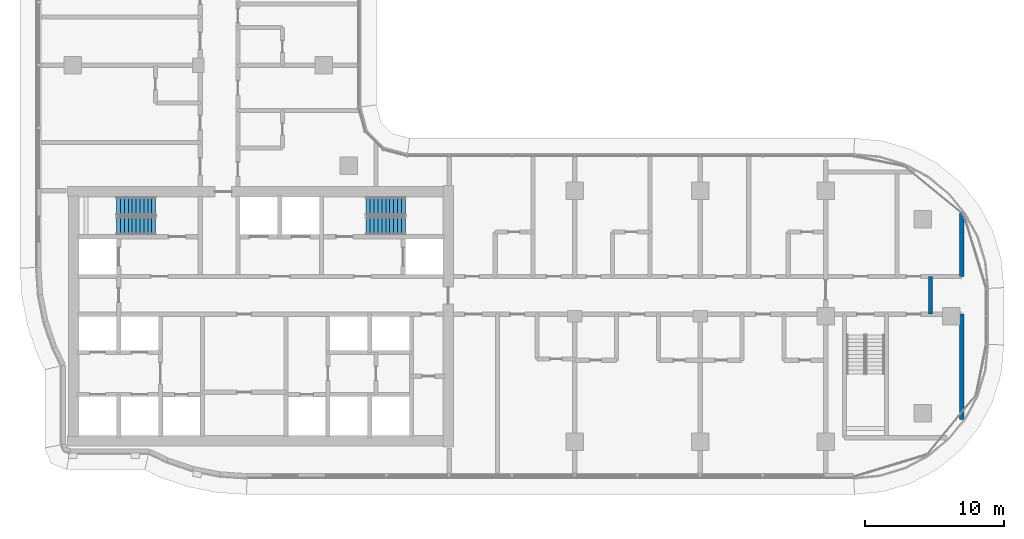
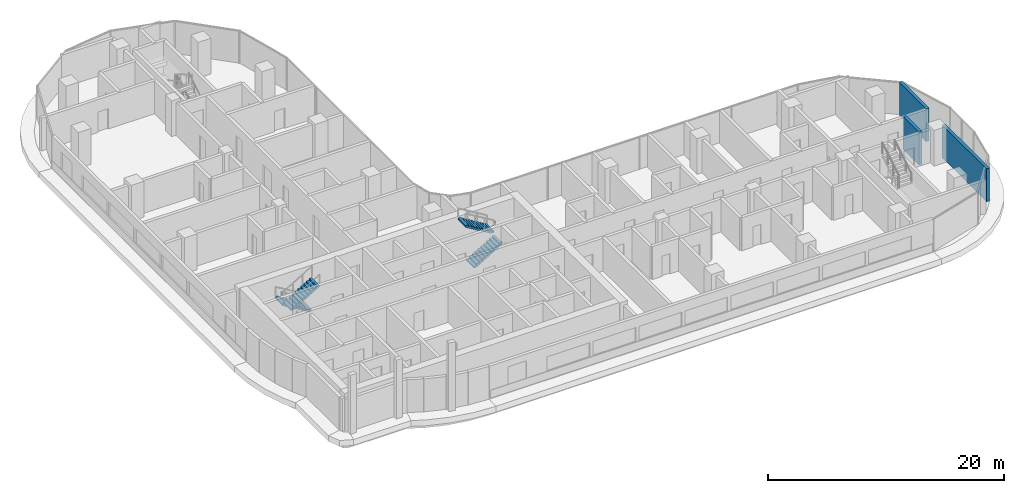
# One storey, part 16 of 25: 4 stair flights, 3 walls, 2 elements without a shape of their own.
"""IFC4 building model written with IfcOpenShell, lengths in metres."""

from ifc_helpers import new_model, si_unit, direction, frame, frame_2d, origin, place, context, subcontext, project, spatial, rectangle, extrude, triangles, source, transform, mapped, material, layer, layer_set, type_object, element, aggregate, save


model = new_model("IFC4")

# Units and contexts
model_context = context("Model", 3, precision=1e-05, world=origin(), true_north=direction((0.0, 1.0)))
body_context = subcontext(model_context, "Body", "Model", "MODEL_VIEW")
ifc_project = project(units=[si_unit("LENGTHUNIT", "METRE"), si_unit("AREAUNIT", "SQUARE_METRE"), si_unit("VOLUMEUNIT", "CUBIC_METRE"), si_unit("PLANEANGLEUNIT", "RADIAN"), si_unit("MASSUNIT", "GRAM", prefix="KILO")], contexts=[model_context])

# Site, building, storey
site_placement = place(None, origin())
site = spatial("IfcSite", under=ifc_project, at=site_placement, CompositionType="ELEMENT")
building_placement = place(site_placement, origin())
building = spatial("IfcBuilding", under=site, at=building_placement, Name="Ogive Portal Towers", CompositionType="ELEMENT")
storey_placement = place(building_placement, frame((0.0, 0.0, 116.699951171875)))
storey = spatial("IfcBuildingStorey", under=building, at=storey_placement, Name="L28", CompositionType="ELEMENT", Elevation=116.699951171875)

# Walls
ifc_material_1 = material(Name="Gypsum board partition on steel studs", Category="steel")
ifc_layer_1 = layer(ifc_material_1, 0.300048828125)
ifc_layer_set_1 = layer_set([ifc_layer_1], Name="WT-PART-300-EI 120")
wall_type_1 = type_object("IfcWallType", Name="WT-PART-300-EI 120", PredefinedType="PARTITIONING", material=ifc_layer_set_1)
wall_1_placement = place(storey_placement, frame((93.0, 30.64990234375, 0.0), z_axis=(0.0, 0.0, 1.0), x_axis=(0.0, 1.0, 0.0)))
element("IfcWall", 1, at=wall_1_placement, inside=storey, type_object=wall_type_1, Name="Wall L28:w067", PredefinedType="PARTITIONING", context=body_context, shape_type="SweptSolid", body=[
    extrude(rectangle(XDim=2.7001953125, YDim=0.300048828125, at=frame_2d((1.35009765625, 0.0))), origin(), (0.0, 0.0, 1.0), 3.400146484375),
])
ifc_layer_2 = layer(ifc_material_1, 0.300048828125)
ifc_layer_set_2 = layer_set([ifc_layer_2], Name="WT-PART-300-EI 60")
wall_type_2 = type_object("IfcWallType", Name="WT-PART-300-EI 60", PredefinedType="PARTITIONING", material=ifc_layer_set_2)
wall_2_placement = place(storey_placement, frame((95.25, 23.091064453125, 0.0), z_axis=(0.0, 0.0, 1.0), x_axis=(0.0, 1.0, 0.0)))
element("IfcWall", 2, at=wall_2_placement, inside=storey, type_object=wall_type_2, Name="Wall L28:w068", PredefinedType="PARTITIONING", context=body_context, shape_type="SweptSolid", body=[
    extrude(rectangle(XDim=7.558837890625, YDim=0.300048828125, at=frame_2d((3.779296875, 0.0))), origin(), (0.0, 0.0, 1.0), 3.400146484375),
])
wall_3_placement = place(storey_placement, frame((95.25, 33.35009765625, 0.0), z_axis=(0.0, 0.0, 1.0), x_axis=(0.0, 1.0, 0.0)))
element("IfcWall", 3, at=wall_3_placement, inside=storey, type_object=wall_type_2, Name="Wall L28:w069", PredefinedType="PARTITIONING", context=body_context, shape_type="SweptSolid", body=[
    extrude(rectangle(XDim=4.558837890625, YDim=0.300048828125, at=frame_2d((2.279296875, 0.0))), origin(), (0.0, 0.0, 1.0), 3.400146484375),
])

# Stair, stair flights
ifc_material_2 = material(Name="Concrete C40/50", Category="concrete")
stair_type = type_object("IfcStairType", Name="INT-STAIR", PredefinedType="HALF_TURN_STAIR", material=ifc_material_2)
stair_1_placement = place(storey_placement, origin())
stair_1 = element("IfcStair", 4, at=stair_1_placement, inside=storey, type_object=stair_type, Name="L28 Exit Stair ST-A1", PredefinedType="HALF_TURN_STAIR")
stair_flight_type = type_object("IfcStairFlightType", Name="INT-FLIGHT", PredefinedType="STRAIGHT", material=ifc_material_2)
shared_shape = source(origin(), body_context, "Body", "Tessellation", [
    triangles([(0.0, -0.650146484375, 0.0), (0.0, -0.376220703125, 0.0), (0.0, -0.192626953125, 0.0), (0.0, -0.081298828125, 0.0), (0.0, -0.024169921875, 0.0), (0.0, -0.003173828125, 0.0), (0.0, 0.0, 0.0), (0.0, 0.0029296875, 0.0), (0.0, 0.02392578125, 0.0), (0.0, 0.0810546875, 0.0), (0.0, 0.1923828125, 0.0), (0.0, 0.3759765625, 0.0), (0.0, 0.64990234375, 0.0), (0.0, -0.650146484375, 0.168212890625), (0.0, -0.376220703125, 0.168212890625), (0.0, -0.192626953125, 0.168212890625), (0.0, -0.081298828125, 0.168212890625), (0.0, -0.024169921875, 0.168212890625), (0.0, -0.003173828125, 0.168212890625), (0.0, 0.0, 0.168212890625), (0.0, 0.0029296875, 0.168212890625), (0.0, 0.02392578125, 0.168212890625), (0.0, 0.0810546875, 0.168212890625), (0.0, 0.1923828125, 0.168212890625), (0.0, 0.3759765625, 0.168212890625), (0.0, 0.64990234375, 0.168212890625), (0.280029296875, -0.650146484375, 0.168212890625), (0.280029296875, -0.376220703125, 0.168212890625), (0.280029296875, -0.192626953125, 0.168212890625), (0.280029296875, -0.081298828125, 0.168212890625), (0.280029296875, -0.024169921875, 0.168212890625), (0.280029296875, -0.003173828125, 0.168212890625), (0.280029296875, 0.0, 0.168212890625), (0.280029296875, 0.0029296875, 0.168212890625), (0.280029296875, 0.02392578125, 0.168212890625), (0.280029296875, 0.0810546875, 0.168212890625), (0.280029296875, 0.1923828125, 0.168212890625), (0.280029296875, 0.3759765625, 0.168212890625), (0.280029296875, 0.64990234375, 0.168212890625), (0.280029296875, -0.650146484375, 0.33642578125), (0.280029296875, -0.376220703125, 0.33642578125), (0.280029296875, -0.192626953125, 0.33642578125), (0.280029296875, -0.081298828125, 0.33642578125), (0.280029296875, -0.024169921875, 0.33642578125), (0.280029296875, -0.003173828125, 0.33642578125), (0.280029296875, 0.0, 0.33642578125), (0.280029296875, 0.0029296875, 0.33642578125), (0.280029296875, 0.02392578125, 0.33642578125), (0.280029296875, 0.0810546875, 0.33642578125), (0.280029296875, 0.1923828125, 0.33642578125), (0.280029296875, 0.3759765625, 0.33642578125), (0.280029296875, 0.64990234375, 0.33642578125), (0.56005859375, -0.650146484375, 0.33642578125), (0.56005859375, -0.376220703125, 0.33642578125), (0.56005859375, -0.192626953125, 0.33642578125), (0.56005859375, -0.081298828125, 0.33642578125), (0.56005859375, -0.024169921875, 0.33642578125), (0.56005859375, -0.003173828125, 0.33642578125), (0.56005859375, 0.0, 0.33642578125), (0.56005859375, 0.0029296875, 0.33642578125), (0.56005859375, 0.02392578125, 0.33642578125), (0.56005859375, 0.0810546875, 0.33642578125), (0.56005859375, 0.1923828125, 0.33642578125), (0.56005859375, 0.3759765625, 0.33642578125), (0.56005859375, 0.64990234375, 0.33642578125), (0.56005859375, -0.650146484375, 0.504638671875), (0.56005859375, -0.376220703125, 0.504638671875), (0.56005859375, -0.192626953125, 0.504638671875), (0.56005859375, -0.081298828125, 0.504638671875), (0.56005859375, -0.024169921875, 0.504638671875), (0.56005859375, -0.003173828125, 0.504638671875), (0.56005859375, 0.0, 0.504638671875), (0.56005859375, 0.0029296875, 0.504638671875), (0.56005859375, 0.02392578125, 0.504638671875), (0.56005859375, 0.0810546875, 0.504638671875), (0.56005859375, 0.1923828125, 0.504638671875), (0.56005859375, 0.3759765625, 0.504638671875), (0.56005859375, 0.64990234375, 0.504638671875), (0.840087890625, -0.650146484375, 0.504638671875), (0.840087890625, -0.376220703125, 0.504638671875), (0.840087890625, -0.192626953125, 0.504638671875), (0.840087890625, -0.081298828125, 0.504638671875), (0.840087890625, -0.024169921875, 0.504638671875), (0.840087890625, -0.003173828125, 0.504638671875), (0.840087890625, 0.0, 0.504638671875), (0.840087890625, 0.0029296875, 0.504638671875), (0.840087890625, 0.02392578125, 0.504638671875), (0.840087890625, 0.0810546875, 0.504638671875), (0.840087890625, 0.1923828125, 0.504638671875), (0.840087890625, 0.3759765625, 0.504638671875), (0.840087890625, 0.64990234375, 0.504638671875), (0.840087890625, -0.650146484375, 0.672607421875), (0.840087890625, -0.376220703125, 0.672607421875), (0.840087890625, -0.192626953125, 0.672607421875), (0.840087890625, -0.081298828125, 0.672607421875), (0.840087890625, -0.024169921875, 0.672607421875), (0.840087890625, -0.003173828125, 0.672607421875), (0.840087890625, 0.0, 0.672607421875), (0.840087890625, 0.0029296875, 0.672607421875), (0.840087890625, 0.02392578125, 0.672607421875), (0.840087890625, 0.0810546875, 0.672607421875), (0.840087890625, 0.1923828125, 0.672607421875), (0.840087890625, 0.3759765625, 0.672607421875), (0.840087890625, 0.64990234375, 0.672607421875), (1.1201171875, -0.650146484375, 0.672607421875), (1.1201171875, -0.376220703125, 0.672607421875), (1.1201171875, -0.192626953125, 0.672607421875), (1.1201171875, -0.081298828125, 0.672607421875), (1.1201171875, -0.024169921875, 0.672607421875), (1.1201171875, -0.003173828125, 0.672607421875), (1.1201171875, 0.0, 0.672607421875), (1.1201171875, 0.0029296875, 0.672607421875), (1.1201171875, 0.02392578125, 0.672607421875), (1.1201171875, 0.0810546875, 0.672607421875), (1.1201171875, 0.1923828125, 0.672607421875), (1.1201171875, 0.3759765625, 0.672607421875), (1.1201171875, 0.64990234375, 0.672607421875), (1.1201171875, -0.650146484375, 0.8408203125), (1.1201171875, -0.376220703125, 0.8408203125), (1.1201171875, -0.192626953125, 0.8408203125), (1.1201171875, -0.081298828125, 0.8408203125), (1.1201171875, -0.024169921875, 0.8408203125), (1.1201171875, -0.003173828125, 0.8408203125), (1.1201171875, 0.0, 0.8408203125), (1.1201171875, 0.0029296875, 0.8408203125), (1.1201171875, 0.02392578125, 0.8408203125), (1.1201171875, 0.0810546875, 0.8408203125), (1.1201171875, 0.1923828125, 0.8408203125), (1.1201171875, 0.3759765625, 0.8408203125), (1.1201171875, 0.64990234375, 0.8408203125), (1.39990234375, -0.650146484375, 0.8408203125), (1.39990234375, -0.376220703125, 0.8408203125), (1.39990234375, -0.192626953125, 0.8408203125), (1.39990234375, -0.081298828125, 0.8408203125), (1.39990234375, -0.024169921875, 0.8408203125), (1.39990234375, -0.003173828125, 0.8408203125), (1.39990234375, 0.0, 0.8408203125), (1.39990234375, 0.0029296875, 0.8408203125), (1.39990234375, 0.02392578125, 0.8408203125), (1.39990234375, 0.0810546875, 0.8408203125), (1.39990234375, 0.1923828125, 0.8408203125), (1.39990234375, 0.3759765625, 0.8408203125), (1.39990234375, 0.64990234375, 0.8408203125), (1.39990234375, -0.650146484375, 1.009033203125), (1.39990234375, -0.376220703125, 1.009033203125), (1.39990234375, -0.192626953125, 1.009033203125), (1.39990234375, -0.081298828125, 1.009033203125), (1.39990234375, -0.024169921875, 1.009033203125), (1.39990234375, -0.003173828125, 1.009033203125), (1.39990234375, 0.0, 1.009033203125), (1.39990234375, 0.0029296875, 1.009033203125), (1.39990234375, 0.02392578125, 1.009033203125), (1.39990234375, 0.0810546875, 1.009033203125), (1.39990234375, 0.1923828125, 1.009033203125), (1.39990234375, 0.3759765625, 1.009033203125), (1.39990234375, 0.64990234375, 1.009033203125), (1.679931640625, -0.650146484375, 1.009033203125), (1.679931640625, -0.376220703125, 1.009033203125), (1.679931640625, -0.192626953125, 1.009033203125), (1.679931640625, -0.081298828125, 1.009033203125), (1.679931640625, -0.024169921875, 1.009033203125), (1.679931640625, -0.003173828125, 1.009033203125), (1.679931640625, 0.0, 1.009033203125), (1.679931640625, 0.0029296875, 1.009033203125), (1.679931640625, 0.02392578125, 1.009033203125), (1.679931640625, 0.0810546875, 1.009033203125), (1.679931640625, 0.1923828125, 1.009033203125), (1.679931640625, 0.3759765625, 1.009033203125), (1.679931640625, 0.64990234375, 1.009033203125), (1.679931640625, -0.650146484375, 1.17724609375), (1.679931640625, -0.376220703125, 1.17724609375), (1.679931640625, -0.192626953125, 1.17724609375), (1.679931640625, -0.081298828125, 1.17724609375), (1.679931640625, -0.024169921875, 1.17724609375), (1.679931640625, -0.003173828125, 1.17724609375), (1.679931640625, 0.0, 1.17724609375), (1.679931640625, 0.0029296875, 1.17724609375), (1.679931640625, 0.02392578125, 1.17724609375), (1.679931640625, 0.0810546875, 1.17724609375), (1.679931640625, 0.1923828125, 1.17724609375), (1.679931640625, 0.3759765625, 1.17724609375), (1.679931640625, 0.64990234375, 1.17724609375), (1.9599609375, -0.650146484375, 1.17724609375), (1.9599609375, -0.376220703125, 1.17724609375), (1.9599609375, -0.192626953125, 1.17724609375), (1.9599609375, -0.081298828125, 1.17724609375), (1.9599609375, -0.024169921875, 1.17724609375), (1.9599609375, -0.003173828125, 1.17724609375), (1.9599609375, 0.0, 1.17724609375), (1.9599609375, 0.0029296875, 1.17724609375), (1.9599609375, 0.02392578125, 1.17724609375), (1.9599609375, 0.0810546875, 1.17724609375), (1.9599609375, 0.1923828125, 1.17724609375), (1.9599609375, 0.3759765625, 1.17724609375), (1.9599609375, 0.64990234375, 1.17724609375), (1.9599609375, -0.650146484375, 1.345458984375), (1.9599609375, -0.376220703125, 1.345458984375), (1.9599609375, -0.192626953125, 1.345458984375), (1.9599609375, -0.081298828125, 1.345458984375), (1.9599609375, -0.024169921875, 1.345458984375), (1.9599609375, -0.003173828125, 1.345458984375), (1.9599609375, 0.0, 1.345458984375), (1.9599609375, 0.0029296875, 1.345458984375), (1.9599609375, 0.02392578125, 1.345458984375), (1.9599609375, 0.0810546875, 1.345458984375), (1.9599609375, 0.1923828125, 1.345458984375), (1.9599609375, 0.3759765625, 1.345458984375), (1.9599609375, 0.64990234375, 1.345458984375), (2.239990234375, -0.650146484375, 1.345458984375), (2.239990234375, -0.376220703125, 1.345458984375), (2.239990234375, -0.192626953125, 1.345458984375), (2.239990234375, -0.081298828125, 1.345458984375), (2.239990234375, -0.024169921875, 1.345458984375), (2.239990234375, -0.003173828125, 1.345458984375), (2.239990234375, 0.0, 1.345458984375), (2.239990234375, 0.0029296875, 1.345458984375), (2.239990234375, 0.02392578125, 1.345458984375), (2.239990234375, 0.0810546875, 1.345458984375), (2.239990234375, 0.1923828125, 1.345458984375), (2.239990234375, 0.3759765625, 1.345458984375), (2.239990234375, 0.64990234375, 1.345458984375), (2.239990234375, -0.650146484375, 1.513671875), (2.239990234375, -0.376220703125, 1.513671875), (2.239990234375, -0.192626953125, 1.513671875), (2.239990234375, -0.081298828125, 1.513671875), (2.239990234375, -0.024169921875, 1.513671875), (2.239990234375, -0.003173828125, 1.513671875), (2.239990234375, 0.0, 1.513671875), (2.239990234375, 0.0029296875, 1.513671875), (2.239990234375, 0.02392578125, 1.513671875), (2.239990234375, 0.0810546875, 1.513671875), (2.239990234375, 0.1923828125, 1.513671875), (2.239990234375, 0.3759765625, 1.513671875), (2.239990234375, 0.64990234375, 1.513671875), (2.52001953125, -0.650146484375, 1.513671875), (2.52001953125, -0.376220703125, 1.513671875), (2.52001953125, -0.192626953125, 1.513671875), (2.52001953125, -0.081298828125, 1.513671875), (2.52001953125, -0.024169921875, 1.513671875), (2.52001953125, -0.003173828125, 1.513671875), (2.52001953125, 0.0, 1.513671875), (2.52001953125, 0.0029296875, 1.513671875), (2.52001953125, 0.02392578125, 1.513671875), (2.52001953125, 0.0810546875, 1.513671875), (2.52001953125, 0.1923828125, 1.513671875), (2.52001953125, 0.3759765625, 1.513671875), (2.52001953125, 0.64990234375, 1.513671875), (2.52001953125, -0.650146484375, 1.681884765625), (2.52001953125, -0.376220703125, 1.681884765625), (2.52001953125, -0.192626953125, 1.681884765625), (2.52001953125, -0.081298828125, 1.681884765625), (2.52001953125, -0.024169921875, 1.681884765625), (2.52001953125, -0.003173828125, 1.681884765625), (2.52001953125, 0.0, 1.681884765625), (2.52001953125, 0.0029296875, 1.681884765625), (2.52001953125, 0.02392578125, 1.681884765625), (2.52001953125, 0.0810546875, 1.681884765625), (2.52001953125, 0.1923828125, 1.681884765625), (2.52001953125, 0.3759765625, 1.681884765625), (2.52001953125, 0.64990234375, 1.681884765625), (2.800048828125, -0.650146484375, 1.681884765625), (2.800048828125, -0.376220703125, 1.681884765625), (2.800048828125, -0.192626953125, 1.681884765625), (2.800048828125, -0.081298828125, 1.681884765625), (2.800048828125, -0.024169921875, 1.681884765625), (2.800048828125, -0.003173828125, 1.681884765625), (2.800048828125, 0.0, 1.681884765625), (2.800048828125, 0.0029296875, 1.681884765625), (2.800048828125, 0.02392578125, 1.681884765625), (2.800048828125, 0.0810546875, 1.681884765625), (2.800048828125, 0.1923828125, 1.681884765625), (2.800048828125, 0.3759765625, 1.681884765625), (2.800048828125, 0.64990234375, 1.681884765625), (2.800048828125, -0.650146484375, 1.5068359375), (2.800048828125, -0.376220703125, 1.5068359375), (2.800048828125, -0.192626953125, 1.5068359375), (2.800048828125, -0.081298828125, 1.5068359375), (2.800048828125, -0.024169921875, 1.5068359375), (2.800048828125, -0.003173828125, 1.5068359375), (2.800048828125, 0.0, 1.5068359375), (2.800048828125, 0.0029296875, 1.5068359375), (2.800048828125, 0.02392578125, 1.5068359375), (2.800048828125, 0.0810546875, 1.5068359375), (2.800048828125, 0.1923828125, 1.5068359375), (2.800048828125, 0.3759765625, 1.5068359375), (2.800048828125, 0.64990234375, 1.5068359375), (0.291015625, -0.650146484375, 0.0), (0.291015625, -0.376220703125, 0.0), (0.291015625, -0.192626953125, 0.0), (0.291015625, -0.081298828125, 0.0), (0.291015625, -0.024169921875, 0.0), (0.291015625, -0.003173828125, 0.0), (0.291015625, 0.0, 0.0), (0.291015625, 0.0029296875, 0.0), (0.291015625, 0.02392578125, 0.0), (0.291015625, 0.0810546875, 0.0), (0.291015625, 0.1923828125, 0.0), (0.291015625, 0.3759765625, 0.0), (0.291015625, 0.64990234375, 0.0)], [[1, 14, 15], [1, 15, 2], [2, 15, 16], [2, 16, 3], [3, 16, 17], [3, 17, 4], [4, 17, 18], [4, 18, 5], [5, 18, 19], [5, 19, 6], [6, 19, 20], [6, 20, 7], [7, 20, 21], [7, 21, 8], [8, 21, 22], [8, 22, 9], [9, 22, 23], [9, 23, 10], [10, 23, 24], [10, 24, 11], [11, 24, 25], [11, 25, 12], [12, 25, 26], [12, 26, 13], [14, 27, 28], [14, 28, 15], [15, 28, 29], [15, 29, 16], [16, 29, 30], [16, 30, 17], [17, 30, 31], [17, 31, 18], [18, 31, 32], [18, 32, 19], [19, 32, 33], [19, 33, 20], [20, 33, 34], [20, 34, 21], [21, 34, 35], [21, 35, 22], [22, 35, 36], [22, 36, 23], [23, 36, 37], [23, 37, 24], [24, 37, 38], [24, 38, 25], [25, 38, 39], [25, 39, 26], [27, 40, 41], [27, 41, 28], [28, 41, 42], [28, 42, 29], [29, 42, 43], [29, 43, 30], [30, 43, 44], [30, 44, 31], [31, 44, 45], [31, 45, 32], [32, 45, 46], [32, 46, 33], [33, 46, 47], [33, 47, 34], [34, 47, 48], [34, 48, 35], [35, 48, 49], [35, 49, 36], [36, 49, 50], [36, 50, 37], [37, 50, 51], [37, 51, 38], [38, 51, 52], [38, 52, 39], [40, 53, 54], [40, 54, 41], [41, 54, 55], [41, 55, 42], [42, 55, 56], [42, 56, 43], [43, 56, 57], [43, 57, 44], [44, 57, 58], [44, 58, 45], [45, 58, 59], [45, 59, 46], [46, 59, 60], [46, 60, 47], [47, 60, 61], [47, 61, 48], [48, 61, 62], [48, 62, 49], [49, 62, 63], [49, 63, 50], [50, 63, 64], [50, 64, 51], [51, 64, 65], [51, 65, 52], [53, 66, 67], [53, 67, 54], [54, 67, 68], [54, 68, 55], [55, 68, 69], [55, 69, 56], [56, 69, 70], [56, 70, 57], [57, 70, 71], [57, 71, 58], [58, 71, 72], [58, 72, 59], [59, 72, 73], [59, 73, 60], [60, 73, 74], [60, 74, 61], [61, 74, 75], [61, 75, 62], [62, 75, 76], [62, 76, 63], [63, 76, 77], [63, 77, 64], [64, 77, 78], [64, 78, 65], [66, 79, 80], [66, 80, 67], [67, 80, 81], [67, 81, 68], [68, 81, 82], [68, 82, 69], [69, 82, 83], [69, 83, 70], [70, 83, 84], [70, 84, 71], [71, 84, 85], [71, 85, 72], [72, 85, 86], [72, 86, 73], [73, 86, 87], [73, 87, 74], [74, 87, 88], [74, 88, 75], [75, 88, 89], [75, 89, 76], [76, 89, 90], [76, 90, 77], [77, 90, 91], [77, 91, 78], [79, 92, 93], [79, 93, 80], [80, 93, 94], [80, 94, 81], [81, 94, 95], [81, 95, 82], [82, 95, 96], [82, 96, 83], [83, 96, 97], [83, 97, 84], [84, 97, 98], [84, 98, 85], [85, 98, 99], [85, 99, 86], [86, 99, 100], [86, 100, 87], [87, 100, 101], [87, 101, 88], [88, 101, 102], [88, 102, 89], [89, 102, 103], [89, 103, 90], [90, 103, 104], [90, 104, 91], [92, 105, 106], [92, 106, 93], [93, 106, 107], [93, 107, 94], [94, 107, 108], [94, 108, 95], [95, 108, 109], [95, 109, 96], [96, 109, 110], [96, 110, 97], [97, 110, 111], [97, 111, 98], [98, 111, 112], [98, 112, 99], [99, 112, 113], [99, 113, 100], [100, 113, 114], [100, 114, 101], [101, 114, 115], [101, 115, 102], [102, 115, 116], [102, 116, 103], [103, 116, 117], [103, 117, 104], [105, 118, 119], [105, 119, 106], [106, 119, 120], [106, 120, 107], [107, 120, 121], [107, 121, 108], [108, 121, 122], [108, 122, 109], [109, 122, 123], [109, 123, 110], [110, 123, 124], [110, 124, 111], [111, 124, 125], [111, 125, 112], [112, 125, 126], [112, 126, 113], [113, 126, 127], [113, 127, 114], [114, 127, 128], [114, 128, 115], [115, 128, 129], [115, 129, 116], [116, 129, 130], [116, 130, 117], [118, 131, 132], [118, 132, 119], [119, 132, 133], [119, 133, 120], [120, 133, 134], [120, 134, 121], [121, 134, 135], [121, 135, 122], [122, 135, 136], [122, 136, 123], [123, 136, 137], [123, 137, 124], [124, 137, 138], [124, 138, 125], [125, 138, 139], [125, 139, 126], [126, 139, 140], [126, 140, 127], [127, 140, 141], [127, 141, 128], [128, 141, 142], [128, 142, 129], [129, 142, 143], [129, 143, 130], [131, 144, 145], [131, 145, 132], [132, 145, 146], [132, 146, 133], [133, 146, 147], [133, 147, 134], [134, 147, 148], [134, 148, 135], [135, 148, 149], [135, 149, 136], [136, 149, 150], [136, 150, 137], [137, 150, 151], [137, 151, 138], [138, 151, 152], [138, 152, 139], [139, 152, 153], [139, 153, 140], [140, 153, 154], [140, 154, 141], [141, 154, 155], [141, 155, 142], [142, 155, 156], [142, 156, 143], [144, 157, 158], [144, 158, 145], [145, 158, 159], [145, 159, 146], [146, 159, 160], [146, 160, 147], [147, 160, 161], [147, 161, 148], [148, 161, 162], [148, 162, 149], [149, 162, 163], [149, 163, 150], [150, 163, 164], [150, 164, 151], [151, 164, 165], [151, 165, 152], [152, 165, 166], [152, 166, 153], [153, 166, 167], [153, 167, 154], [154, 167, 168], [154, 168, 155], [155, 168, 169], [155, 169, 156], [157, 170, 171], [157, 171, 158], [158, 171, 172], [158, 172, 159], [159, 172, 173], [159, 173, 160], [160, 173, 174], [160, 174, 161], [161, 174, 175], [161, 175, 162], [162, 175, 176], [162, 176, 163], [163, 176, 177], [163, 177, 164], [164, 177, 178], [164, 178, 165], [165, 178, 179], [165, 179, 166], [166, 179, 180], [166, 180, 167], [167, 180, 181], [167, 181, 168], [168, 181, 182], [168, 182, 169], [170, 183, 184], [170, 184, 171], [171, 184, 185], [171, 185, 172], [172, 185, 186], [172, 186, 173], [173, 186, 187], [173, 187, 174], [174, 187, 188], [174, 188, 175], [175, 188, 189], [175, 189, 176], [176, 189, 190], [176, 190, 177], [177, 190, 191], [177, 191, 178], [178, 191, 192], [178, 192, 179], [179, 192, 193], [179, 193, 180], [180, 193, 194], [180, 194, 181], [181, 194, 195], [181, 195, 182], [183, 196, 197], [183, 197, 184], [184, 197, 198], [184, 198, 185], [185, 198, 199], [185, 199, 186], [186, 199, 200], [186, 200, 187], [187, 200, 201], [187, 201, 188], [188, 201, 202], [188, 202, 189], [189, 202, 203], [189, 203, 190], [190, 203, 204], [190, 204, 191], [191, 204, 205], [191, 205, 192], [192, 205, 206], [192, 206, 193], [193, 206, 207], [193, 207, 194], [194, 207, 208], [194, 208, 195], [196, 209, 210], [196, 210, 197], [197, 210, 211], [197, 211, 198], [198, 211, 212], [198, 212, 199], [199, 212, 213], [199, 213, 200], [200, 213, 214], [200, 214, 201], [201, 214, 215], [201, 215, 202], [202, 215, 216], [202, 216, 203], [203, 216, 217], [203, 217, 204], [204, 217, 218], [204, 218, 205], [205, 218, 219], [205, 219, 206], [206, 219, 220], [206, 220, 207], [207, 220, 221], [207, 221, 208], [209, 222, 223], [209, 223, 210], [210, 223, 224], [210, 224, 211], [211, 224, 225], [211, 225, 212], [212, 225, 226], [212, 226, 213], [213, 226, 227], [213, 227, 214], [214, 227, 228], [214, 228, 215], [215, 228, 229], [215, 229, 216], [216, 229, 230], [216, 230, 217], [217, 230, 231], [217, 231, 218], [218, 231, 232], [218, 232, 219], [219, 232, 233], [219, 233, 220], [220, 233, 234], [220, 234, 221], [222, 235, 236], [222, 236, 223], [223, 236, 237], [223, 237, 224], [224, 237, 238], [224, 238, 225], [225, 238, 239], [225, 239, 226], [226, 239, 240], [226, 240, 227], [227, 240, 241], [227, 241, 228], [228, 241, 242], [228, 242, 229], [229, 242, 243], [229, 243, 230], [230, 243, 244], [230, 244, 231], [231, 244, 245], [231, 245, 232], [232, 245, 246], [232, 246, 233], [233, 246, 247], [233, 247, 234], [235, 248, 249], [235, 249, 236], [236, 249, 250], [236, 250, 237], [237, 250, 251], [237, 251, 238], [238, 251, 252], [238, 252, 239], [239, 252, 253], [239, 253, 240], [240, 253, 254], [240, 254, 241], [241, 254, 255], [241, 255, 242], [242, 255, 256], [242, 256, 243], [243, 256, 257], [243, 257, 244], [244, 257, 258], [244, 258, 245], [245, 258, 259], [245, 259, 246], [246, 259, 260], [246, 260, 247], [248, 261, 262], [248, 262, 249], [249, 262, 263], [249, 263, 250], [250, 263, 264], [250, 264, 251], [251, 264, 265], [251, 265, 252], [252, 265, 266], [252, 266, 253], [253, 266, 267], [253, 267, 254], [254, 267, 268], [254, 268, 255], [255, 268, 269], [255, 269, 256], [256, 269, 270], [256, 270, 257], [257, 270, 271], [257, 271, 258], [258, 271, 272], [258, 272, 259], [259, 272, 273], [259, 273, 260], [261, 274, 275], [261, 275, 262], [262, 275, 276], [262, 276, 263], [263, 276, 277], [263, 277, 264], [264, 277, 278], [264, 278, 265], [265, 278, 279], [265, 279, 266], [266, 279, 280], [266, 280, 267], [267, 280, 281], [267, 281, 268], [268, 281, 282], [268, 282, 269], [269, 282, 283], [269, 283, 270], [270, 283, 284], [270, 284, 271], [271, 284, 285], [271, 285, 272], [272, 285, 286], [272, 286, 273], [274, 287, 288], [274, 288, 275], [275, 288, 289], [275, 289, 276], [276, 289, 290], [276, 290, 277], [277, 290, 291], [277, 291, 278], [278, 291, 292], [278, 292, 279], [279, 292, 293], [279, 293, 280], [280, 293, 294], [280, 294, 281], [281, 294, 295], [281, 295, 282], [282, 295, 296], [282, 296, 283], [283, 296, 297], [283, 297, 284], [284, 297, 298], [284, 298, 285], [285, 298, 299], [285, 299, 286], [287, 1, 2], [287, 2, 288], [288, 2, 3], [288, 3, 289], [289, 3, 4], [289, 4, 290], [290, 4, 5], [290, 5, 291], [291, 5, 6], [291, 6, 292], [292, 6, 7], [292, 7, 293], [293, 7, 8], [293, 8, 294], [294, 8, 9], [294, 9, 295], [295, 9, 10], [295, 10, 296], [296, 10, 11], [296, 11, 297], [297, 11, 12], [297, 12, 298], [298, 12, 13], [298, 13, 299], [1, 287, 274], [13, 286, 299], [274, 261, 248], [286, 260, 273], [274, 248, 235], [286, 247, 260], [274, 235, 222], [286, 234, 247], [274, 222, 209], [286, 221, 234], [209, 196, 183], [221, 195, 208], [274, 209, 183], [286, 195, 221], [183, 170, 157], [195, 169, 182], [274, 183, 157], [286, 169, 195], [157, 144, 131], [169, 143, 156], [274, 157, 131], [286, 143, 169], [131, 118, 105], [143, 117, 130], [274, 131, 105], [286, 117, 143], [1, 274, 105], [13, 117, 286], [105, 92, 79], [117, 91, 104], [79, 66, 53], [91, 65, 78], [105, 79, 53], [117, 65, 91], [53, 40, 27], [65, 39, 52], [105, 53, 27], [117, 39, 65], [1, 105, 27], [13, 39, 117], [27, 14, 1], [39, 13, 26]], closed=True),
])
stair_flight_1_placement = place(storey_placement, frame((37.449951171875, 38.39990234375, 0.0), z_axis=(0.0, 0.0, 1.0), x_axis=(-1.0, 0.0, 0.0)))
stair_flight_1 = element("IfcStairFlight", 5, at=stair_flight_1_placement, type_object=stair_flight_type, Name="ST-A1 flight 1", NumberOfRisers=11, NumberOfTreads=10, PredefinedType="STRAIGHT", RiserHeight=0.168181818, TreadLength=0.28, context=body_context, shape_type="MappedRepresentation", body=[
    mapped(shared_shape, transform((0.0, 0.0, 0.0), scale=1.0)),
])
stair_flight_2_placement = place(storey_placement, frame((34.64990234375, 37.0, 1.85009765625), z_axis=(0.0, 0.0, 1.0), x_axis=(1.0, 0.0, 0.0)))
stair_flight_2 = element("IfcStairFlight", 6, at=stair_flight_2_placement, type_object=stair_flight_type, Name="ST-A1 flight 2", NumberOfRisers=11, NumberOfTreads=10, PredefinedType="STRAIGHT", RiserHeight=0.168181818, TreadLength=0.28, context=body_context, shape_type="MappedRepresentation", body=[
    mapped(shared_shape, transform((0.0, 0.0, 0.0), scale=1.0)),
])
aggregate(stair_1, [stair_flight_1, stair_flight_2])

stair_2_placement = place(storey_placement, origin())
stair_2 = element("IfcStair", 7, at=stair_2_placement, inside=storey, type_object=stair_type, Name="L28 Exit Stair ST-A2", PredefinedType="HALF_TURN_STAIR")
stair_flight_3_placement = place(storey_placement, frame((52.550048828125, 37.0, 0.0), z_axis=(0.0, 0.0, 1.0), x_axis=(1.0, 0.0, 0.0)))
stair_flight_3 = element("IfcStairFlight", 8, at=stair_flight_3_placement, type_object=stair_flight_type, Name="ST-A2 flight 1", NumberOfRisers=11, NumberOfTreads=10, PredefinedType="STRAIGHT", RiserHeight=0.168181818, TreadLength=0.28, context=body_context, shape_type="MappedRepresentation", body=[
    mapped(shared_shape, transform((0.0, 0.0, 0.0), scale=1.0)),
])
stair_flight_4_placement = place(storey_placement, frame((55.35009765625, 38.39990234375, 1.85009765625), z_axis=(0.0, 0.0, 1.0), x_axis=(-1.0, 0.0, 0.0)))
stair_flight_4 = element("IfcStairFlight", 9, at=stair_flight_4_placement, type_object=stair_flight_type, Name="ST-A2 flight 2", NumberOfRisers=11, NumberOfTreads=10, PredefinedType="STRAIGHT", RiserHeight=0.168181818, TreadLength=0.28, context=body_context, shape_type="MappedRepresentation", body=[
    mapped(shared_shape, transform((0.0, 0.0, 0.0), scale=1.0)),
])
aggregate(stair_2, [stair_flight_3, stair_flight_4])

save(model, "model.ifc")
